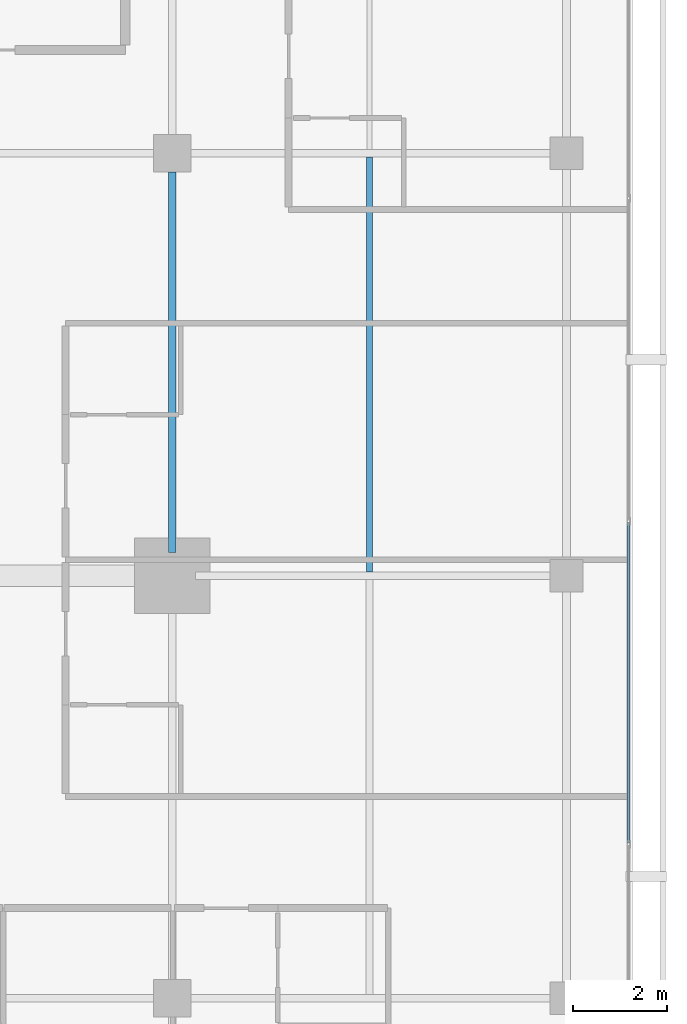
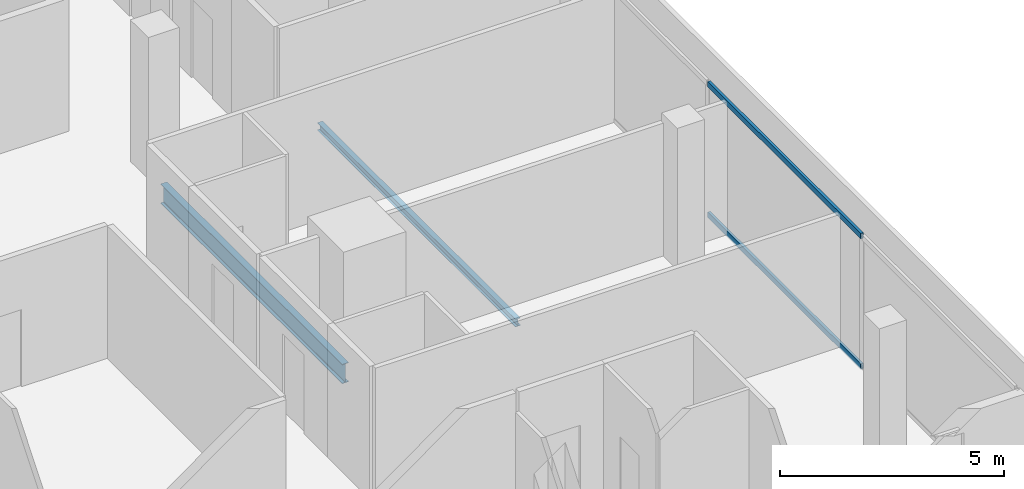
# One storey, part 13 of 26: 2 beams, 2 members, 1 element without a shape of its own.
"""IFC4 building model written with IfcOpenShell, lengths in metres."""

from ifc_helpers import new_model, si_unit, direction, frame, origin, origin_2d, place, context, subcontext, project, spatial, hollow_rectangle, i_section, extrude, material, layer, layer_set, material_profile, profile_set, type_object, element, aggregate, save


model = new_model("IFC4")

# Units and contexts
model_context = context("Model", 3, precision=1e-05, world=origin(), true_north=direction((0.0, 1.0)))
body_context = subcontext(model_context, "Body", "Model", "MODEL_VIEW")
ifc_project = project(units=[si_unit("LENGTHUNIT", "METRE"), si_unit("AREAUNIT", "SQUARE_METRE"), si_unit("VOLUMEUNIT", "CUBIC_METRE"), si_unit("PLANEANGLEUNIT", "RADIAN"), si_unit("MASSUNIT", "GRAM", prefix="KILO")], contexts=[model_context])

# Site, building, storey
site_placement = place(None, origin())
site = spatial("IfcSite", under=ifc_project, at=site_placement, CompositionType="ELEMENT")
building_placement = place(site_placement, origin())
building = spatial("IfcBuilding", under=site, at=building_placement, Name="Maruvema Waterfront Hotel and Observation Tower", CompositionType="ELEMENT")
storey_placement = place(building_placement, frame((0.0, 0.0, 285.60009765625)))
storey = spatial("IfcBuildingStorey", under=building, at=storey_placement, Name="L70", CompositionType="ELEMENT", Elevation=285.60009765625)

# Curtain wall, members
ifc_material_1 = material(Name="Anodised bronze aluminium and solar-control low-E IGU", Category="aluminium")
ifc_layer = layer(ifc_material_1, 0.159912109375, Name="Zone 3 Champagne Inner Thermal Curtain Wall System CW-04")
ifc_layer_set = layer_set([ifc_layer], Name="Anodised bronze aluminium and solar-control low-E IGU")
curtain_wall_type = type_object("IfcCurtainWallType", Name="Zone 3 Champagne Inner Thermal Curtain Wall System CW-04", PredefinedType="USERDEFINED", material=ifc_layer_set)
curtain_wall_placement = place(storey_placement, origin())
curtain_wall = element("IfcCurtainWall", 1, at=curtain_wall_placement, inside=storey, type_object=curtain_wall_type, Name="L70 Curtain Wall CW-L70-E", ObjectType="UNITISED CURTAIN WALL", PredefinedType="USERDEFINED")
ifc_material_2 = material(Name="Anodised architectural bronze aluminium", Category="aluminium")
ifc_material_profile_1 = material_profile(ifc_material_2, hollow_rectangle(XDim=0.070068359375, YDim=0.14990234375, WallThickness=0.00390625, at=origin_2d()), Name="ALU-T70x150")
ifc_profile_set_1 = profile_set([ifc_material_profile_1], Name="Anodised architectural bronze aluminium")
member_type = type_object("IfcMemberType", Name="Curtain Wall Horizontal Transom ALU-T70x150", PredefinedType="USERDEFINED", material=ifc_profile_set_1)
member_1_placement = place(storey_placement, frame((60.1201171875, 21.31005859375, 0.02978515625), z_axis=(0.0, 1.0, 0.0), x_axis=(-1.0, 0.0, 0.0)))
member_1 = element("IfcMember", 2, at=member_1_placement, type_object=member_type, Name="CW-04 transom 2.1", ObjectType="TRANSOM", PredefinedType="USERDEFINED", context=body_context, shape_type="SweptSolid", body=[
    extrude(hollow_rectangle(XDim=0.070068359375, YDim=0.14990234375, WallThickness=0.00390625, at=origin_2d()), origin(), (0.0, 0.0, 1.0), 6.81982421875),
])
member_2_placement = place(storey_placement, frame((60.1201171875, 21.31005859375, 3.579833984375), z_axis=(0.0, 1.0, 0.0), x_axis=(-1.0, 0.0, 0.0)))
member_2 = element("IfcMember", 3, at=member_2_placement, type_object=member_type, Name="CW-04 transom 2.2", ObjectType="TRANSOM", PredefinedType="USERDEFINED", context=body_context, shape_type="SweptSolid", body=[
    extrude(hollow_rectangle(XDim=0.070068359375, YDim=0.14990234375, WallThickness=0.00390625, at=origin_2d()), origin(), (0.0, 0.0, 1.0), 6.81982421875),
])
aggregate(curtain_wall, [member_1, member_2])

# Beams
ifc_material_3 = material(Name="Steel ASTM A572 Grade 50", Category="steel")
ifc_material_profile_2 = material_profile(ifc_material_3, i_section(OverallWidth=0.166015625, OverallDepth=0.529052734375, WebThickness=0.009765625, FlangeThickness=0.013671875, FilletRadius=0.014892578125, at=origin_2d()), Name="W530x74.0")
ifc_profile_set_2 = profile_set([ifc_material_profile_2], Name="Steel ASTM A572 Grade 50")
beam_type_1 = type_object("IfcBeamType", Name="Primary Floor Girder W530x74.0", PredefinedType="BEAM", material=ifc_profile_set_2)
beam_1_placement = place(storey_placement, frame((50.39990234375, 27.5, -0.504638671875), z_axis=(0.0, 1.0, 0.0), x_axis=(-1.0, 0.0, 0.0)))
element("IfcBeam", 4, at=beam_1_placement, inside=storey, type_object=beam_type_1, Name="L70 Floor Girder NS-14", PredefinedType="BEAM", context=body_context, shape_type="SweptSolid", body=[
    extrude(i_section(OverallWidth=0.166015625, OverallDepth=0.529052734375, WebThickness=0.009765625, FlangeThickness=0.013671875, FilletRadius=0.014892578125, at=origin_2d()), origin(), (0.0, 0.0, 1.0), 8.10009765625),
])
ifc_material_4 = material(Name="Steel ASTM A572 Grade 50", Category="steel")
ifc_material_profile_3 = material_profile(ifc_material_4, i_section(OverallWidth=0.133056640625, OverallDepth=0.20703125, WebThickness=0.005859375, FlangeThickness=0.00830078125, FilletRadius=0.010009765625, at=origin_2d()), Name="W200x26.6")
ifc_profile_set_3 = profile_set([ifc_material_profile_3], Name="Steel ASTM A572 Grade 50")
beam_type_2 = type_object("IfcBeamType", Name="Secondary Floor Joist W200x26.6", PredefinedType="JOIST", material=ifc_profile_set_3)
beam_2_placement = place(storey_placement, frame((54.60009765625, 27.0830078125, -0.343505859375), z_axis=(0.0, 1.0, 0.0), x_axis=(-1.0, 0.0, 0.0)))
element("IfcBeam", 5, at=beam_2_placement, inside=storey, type_object=beam_type_2, Name="L70 Secondary Floor Joist JS-08", PredefinedType="JOIST", context=body_context, shape_type="SweptSolid", body=[
    extrude(i_section(OverallWidth=0.133056640625, OverallDepth=0.20703125, WebThickness=0.005859375, FlangeThickness=0.00830078125, FilletRadius=0.010009765625, at=origin_2d()), origin(), (0.0, 0.0, 1.0), 8.833984375),
])

save(model, "model.ifc")
